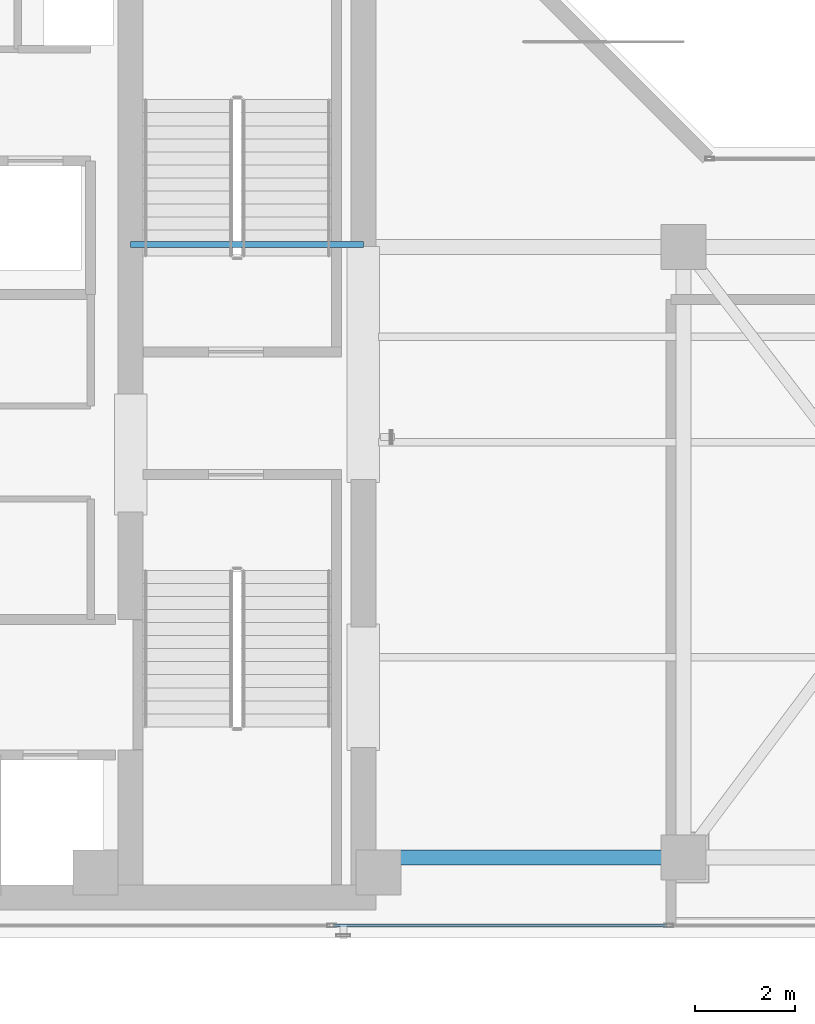
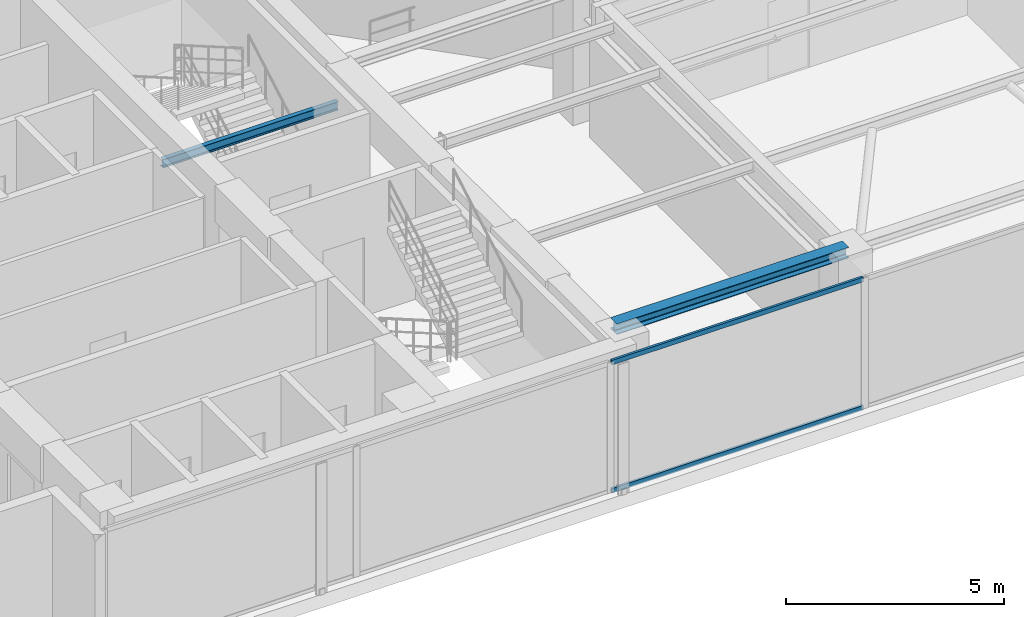
# One storey, part 5 of 31: 2 beams, 2 members, 1 element without a shape of its own.
"""IFC4 building model written with IfcOpenShell, lengths in metres."""

import ifcopenshell
import ifcopenshell.guid

model = None  # the IFC model being written
_history = None  # IfcOwnerHistory: only IFC2X3 demands one
_inside = {}  # id of a spatial element -> (the spatial element, [elements in it])
_under = {}  # id of a project, library or spatial element -> (it, [spatial elements below it])
_declared = {}  # id of a project -> (the project, [libraries it declares])
_typed = {}  # id of a type object -> (the type object, [elements of that type])
_made_of = {}  # id of a material, layer set ... -> (it, [elements and type objects made of it])


def new_model(schema):
    """Start an empty IFC model of exactly this schema.

    Asked for "IFC4X3", IfcOpenShell would pick the latest addendum, in which some entities
    have other attributes; the version numbers below select the first issue.
    IFC2X3 requires an IfcOwnerHistory on every rooted entity: one is made here for all.
    """
    global model, _history
    if schema == "IFC4X3":
        model = ifcopenshell.file(schema_version=(4, 3, 0, 0))
    else:
        model = ifcopenshell.file(schema=schema)
    _inside.clear()
    _under.clear()
    _declared.clear()
    _typed.clear()
    _made_of.clear()
    _history = None
    if model.schema == "IFC2X3":
        org = make("IfcOrganization", Name="unknown")
        user = make(
            "IfcPersonAndOrganization",
            ThePerson=make("IfcPerson", FamilyName="unknown"),
            TheOrganization=org,
        )
        app = make(
            "IfcApplication",
            ApplicationDeveloper=org,
            Version="unknown",
            ApplicationFullName="unknown",
            ApplicationIdentifier="unknown",
        )
        _history = make(
            "IfcOwnerHistory",
            OwningUser=user,
            OwningApplication=app,
            ChangeAction="ADDED",
            CreationDate=0,
        )
    return model


def make(cls, **values):
    """One entity of the class cls with the attributes given. An attribute that is None is left unset."""
    return model.create_entity(
        cls, **{name: value for name, value in values.items() if value is not None}
    )


def rooted(cls, **values):
    """An entity with a GlobalId (a new one), such as an element, a storey or a relation."""
    return make(cls, GlobalId=ifcopenshell.guid.new(), OwnerHistory=_history, **values)


def si_unit(unit_type, name, prefix=None):
    """IfcSIUnit, for example si_unit("LENGTHUNIT", "METRE", prefix="MILLI")."""
    return make("IfcSIUnit", UnitType=unit_type, Prefix=prefix, Name=name)


def assignment(units):
    """IfcUnitAssignment: the units of a project."""
    return None if units is None else make("IfcUnitAssignment", Units=units)


def point(xyz):
    """IfcCartesianPoint."""
    return None if xyz is None else make("IfcCartesianPoint", Coordinates=xyz)


def direction(xyz):
    """IfcDirection."""
    return None if xyz is None else make("IfcDirection", DirectionRatios=xyz)


def frame(location, z_axis=None, x_axis=None):
    """IfcAxis2Placement3D, a coordinate frame: its origin and axes. An axis left out is left unset."""
    return make(
        "IfcAxis2Placement3D",
        Location=point(location),
        Axis=direction(z_axis),
        RefDirection=direction(x_axis),
    )


def frame_2d(location, x_axis=None):
    """IfcAxis2Placement2D, a coordinate frame in the plane: its origin and x axis."""
    return make(
        "IfcAxis2Placement2D", Location=point(location), RefDirection=direction(x_axis)
    )


def origin():
    """The frame at (0, 0, 0) with its axes left unset."""
    return frame((0.0, 0.0, 0.0))


def origin_with_axes():
    """The frame at (0, 0, 0) with the z axis (0, 0, 1) and the x axis (1, 0, 0) written out."""
    return frame((0.0, 0.0, 0.0), z_axis=(0.0, 0.0, 1.0), x_axis=(1.0, 0.0, 0.0))


def origin_2d():
    """The frame at (0, 0) in the plane with its x axis left unset."""
    return frame_2d((0.0, 0.0))


def place(relative_to, where):
    """IfcLocalPlacement: puts the frame where relative to a parent placement (None: the world)."""
    return make(
        "IfcLocalPlacement", PlacementRelTo=relative_to, RelativePlacement=where
    )


def context(
    kind, dimensions, precision=None, world=None, true_north=None, identifier=None
):
    """IfcGeometricRepresentationContext, for example the 3D "Model" context."""
    return make(
        "IfcGeometricRepresentationContext",
        ContextIdentifier=identifier,
        ContextType=kind,
        CoordinateSpaceDimension=dimensions,
        Precision=precision,
        WorldCoordinateSystem=world,
        TrueNorth=true_north,
    )


def subcontext(parent, identifier, kind, view, scale=None):
    """IfcGeometricRepresentationSubContext, for example "Body" below "Model"."""
    return make(
        "IfcGeometricRepresentationSubContext",
        ContextIdentifier=identifier,
        ContextType=kind,
        ParentContext=parent,
        TargetScale=scale,
        TargetView=view,
    )


def project(units=None, contexts=None):
    """IfcProject with its units and contexts."""
    return rooted(
        "IfcProject",
        Name="project",
        RepresentationContexts=contexts,
        UnitsInContext=assignment(units),
    )


def spatial(cls, under=None, at=None, **own):
    """A site, building, storey or space (cls), placed at a placement, below another one or the project."""
    s = rooted(cls, ObjectPlacement=at, **own)
    if under is not None:
        _under.setdefault(under.id(), (under, []))[1].append(s)
    return s


def profile(cls, at=None, kind="AREA", **sizes):
    """A parametric profile (cls). Its sizes go by their IFC names, for example OverallWidth=200.0."""
    return make(cls, ProfileType=kind, Position=at, **sizes)


def hollow_rectangle(**sizes):
    """IfcRectangleHollowProfileDef."""
    return profile("IfcRectangleHollowProfileDef", **sizes)


def i_section(**sizes):
    """IfcIShapeProfileDef."""
    return profile("IfcIShapeProfileDef", **sizes)


def extrude(swept, where, along, depth):
    """IfcExtrudedAreaSolid: the profile swept, set in the frame where, extruded along a direction by depth."""
    return make(
        "IfcExtrudedAreaSolid",
        SweptArea=swept,
        Position=where,
        ExtrudedDirection=direction(along),
        Depth=depth,
    )


def shape(context_of_items, identifier, shape_type, items):
    """IfcShapeRepresentation: the items that make up one representation, for example the "Body"."""
    return make(
        "IfcShapeRepresentation",
        ContextOfItems=context_of_items,
        RepresentationIdentifier=identifier,
        RepresentationType=shape_type,
        Items=items,
    )


def source(mapping_origin, context_of_items, identifier, shape_type, items):
    """IfcRepresentationMap: a shape defined once, which mapped items show again and again."""
    return make(
        "IfcRepresentationMap",
        MappingOrigin=mapping_origin,
        MappedRepresentation=shape(context_of_items, identifier, shape_type, items),
    )


def transform(
    local_origin,
    x_axis=None,
    y_axis=None,
    z_axis=None,
    scale=None,
    scale2=None,
    scale3=None,
    uniform=True,
):
    """IfcCartesianTransformationOperator3D, or its non-uniform kind. x_axis, y_axis, z_axis: its Axis1, 2, 3."""
    if uniform:
        return make(
            "IfcCartesianTransformationOperator3D",
            Axis1=direction(x_axis),
            Axis2=direction(y_axis),
            LocalOrigin=point(local_origin),
            Scale=scale,
            Axis3=direction(z_axis),
        )
    return make(
        "IfcCartesianTransformationOperator3DnonUniform",
        Axis1=direction(x_axis),
        Axis2=direction(y_axis),
        LocalOrigin=point(local_origin),
        Scale=scale,
        Axis3=direction(z_axis),
        Scale2=scale2,
        Scale3=scale3,
    )


def mapped(mapping_source, mapping_target):
    """IfcMappedItem: shows the shape of a source again, moved by a transform."""
    return make(
        "IfcMappedItem", MappingSource=mapping_source, MappingTarget=mapping_target
    )


def material(Name=None, Category=None):
    """IfcMaterial."""
    return make("IfcMaterial", Name=Name, Category=Category)


def layer(
    of_material, thickness, ventilated=None, Name=None, Category=None, Priority=None
):
    """IfcMaterialLayer: one layer of a wall or slab, of a material (None: an air gap)."""
    return make(
        "IfcMaterialLayer",
        Material=of_material,
        LayerThickness=thickness,
        IsVentilated=ventilated,
        Name=Name,
        Category=Category,
        Priority=Priority,
    )


def layer_set(layers, Name=None):
    """IfcMaterialLayerSet."""
    return make("IfcMaterialLayerSet", MaterialLayers=layers, LayerSetName=Name)


def material_profile(
    of_material, cross_section, Name=None, Category=None, Priority=None
):
    """IfcMaterialProfile: a cross section and its material."""
    return make(
        "IfcMaterialProfile",
        Name=Name,
        Material=of_material,
        Profile=cross_section,
        Priority=Priority,
        Category=Category,
    )


def profile_set(profiles, Name=None, composite=None):
    """IfcMaterialProfileSet."""
    return make(
        "IfcMaterialProfileSet",
        Name=Name,
        MaterialProfiles=profiles,
        CompositeProfile=composite,
    )


def made_of(thing, what):
    """Note that an element or type object is made of a material, layer set ...; save() writes the relation."""
    if what is not None:
        _made_of.setdefault(what.id(), (what, []))[1].append(thing)
    return thing


def type_object(cls, material=None, **own):
    """A type object (cls), such as IfcWallType, which elements share."""
    return made_of(rooted(cls, **own), material)


def element(
    cls,
    number,
    at=None,
    inside=None,
    cuts=None,
    type_object=None,
    material=None,
    context=None,
    identifier="Body",
    shape_type=None,
    held_by="IfcProductDefinitionShape",
    body=None,
    shapes=None,
    **own,
):
    """One element of the class cls, such as IfcWall. Its Tag is "e" and its number.

    at: its placement. inside: the storey or other place that contains it. cuts: it is an
    opening in that element (IfcRelVoidsElement). A single representation is given by context,
    identifier, shape_type and body (its items); several are given by shapes. held_by: the class
    of the entity that holds the representations. save() writes the other relations.
    """
    e = rooted(cls, Tag="e%d" % number, ObjectPlacement=at, **own)
    if body is not None:
        shapes = [shape(context, identifier, shape_type, body)]
    if shapes is not None:
        e.Representation = make(held_by, Representations=shapes)
    if inside is not None:
        _inside.setdefault(inside.id(), (inside, []))[1].append(e)
    if cuts is not None:
        rooted(
            "IfcRelVoidsElement", RelatingBuildingElement=cuts, RelatedOpeningElement=e
        )
    if type_object is not None:
        _typed.setdefault(type_object.id(), (type_object, []))[1].append(e)
    return made_of(e, material)


def aggregate(whole, parts):
    """IfcRelAggregates: a whole, such as a stair, and the parts it consists of."""
    return rooted("IfcRelAggregates", RelatingObject=whole, RelatedObjects=parts)


def save(model, path):
    """Write the relations noted so far, then the file.

    IfcRelAggregates (storeys below a building ...), IfcRelContainedInSpatialStructure (elements
    in a storey), IfcRelDefinesByType, IfcRelAssociatesMaterial and IfcRelDeclares: one each for
    every whole, place, type object, material and project.
    """
    for whole, parts in _under.values():
        aggregate(whole, parts)
    for where, things in _inside.values():
        rooted(
            "IfcRelContainedInSpatialStructure",
            RelatedElements=things,
            RelatingStructure=where,
        )
    for kind, things in _typed.values():
        rooted("IfcRelDefinesByType", RelatedObjects=things, RelatingType=kind)
    for what, things in _made_of.values():
        rooted("IfcRelAssociatesMaterial", RelatedObjects=things, RelatingMaterial=what)
    for by, libraries in _declared.values():
        rooted("IfcRelDeclares", RelatingContext=by, RelatedDefinitions=libraries)
    model.write(path)


model = new_model("IFC4")

# Units and contexts
model_context = context("Model", 3, precision=1e-05, world=origin(), true_north=direction((0.0, 1.0)))
body_context = subcontext(model_context, "Body", "Model", "MODEL_VIEW")
ifc_project = project(units=[si_unit("LENGTHUNIT", "METRE"), si_unit("AREAUNIT", "SQUARE_METRE"), si_unit("VOLUMEUNIT", "CUBIC_METRE"), si_unit("PLANEANGLEUNIT", "RADIAN"), si_unit("MASSUNIT", "GRAM", prefix="KILO")], contexts=[model_context])

# Site, building, storey
site_placement = place(None, origin())
site = spatial("IfcSite", under=ifc_project, at=site_placement, CompositionType="ELEMENT")
building_placement = place(site_placement, origin())
building = spatial("IfcBuilding", under=site, at=building_placement, Name="Kolvaren Waterfront Exchange", CompositionType="ELEMENT")
storey_placement = place(building_placement, frame((0.0, 0.0, 344.199951171875)))
storey = spatial("IfcBuildingStorey", under=building, at=storey_placement, Name="L88", CompositionType="ELEMENT", Elevation=344.199951171875)

# Beams
ifc_material_1 = material(Name="Steel S355", Category="steel")
ifc_material_profile_1 = material_profile(ifc_material_1, i_section(OverallWidth=0.300048828125, OverallDepth=0.300048828125, WebThickness=0.010986328125, FlangeThickness=0.01904296875, FilletRadius=0.027099609375, at=origin_2d()), Name="HEB300")
ifc_profile_set_1 = profile_set([ifc_material_profile_1], Name="Steel S355")
beam_type_1 = type_object("IfcBeamType", Name="STR-BM-HEB300", PredefinedType="SPANDREL", material=ifc_profile_set_1)
beam_1_placement = place(storey_placement, frame((21.050048828125, 5.199951171875, 3.510009765625), z_axis=(1.0, 0.0, 0.0), x_axis=(0.0, 1.0, 0.0)))
element("IfcBeam", 1, at=beam_1_placement, inside=storey, type_object=beam_type_1, Name="L88 east-arm spandrel S1", PredefinedType="SPANDREL", context=body_context, shape_type="SweptSolid", body=[
    extrude(i_section(OverallWidth=0.300048828125, OverallDepth=0.300048828125, WebThickness=0.010986328125, FlangeThickness=0.01904296875, FilletRadius=0.027099609375, at=origin_2d()), origin(), (0.0, 0.0, 1.0), 6.14990234375),
])
ifc_material_profile_2 = material_profile(ifc_material_1, i_section(OverallWidth=0.1201171875, OverallDepth=0.239990234375, WebThickness=0.006103515625, FlangeThickness=0.009765625, FilletRadius=0.014892578125, at=origin_2d()), Name="IPE240")
ifc_profile_set_2 = profile_set([ifc_material_profile_2], Name="Steel S355")
beam_type_2 = type_object("IfcBeamType", Name="STR-BM-IPE240", PredefinedType="LINTEL", material=ifc_profile_set_2)
beam_2_placement = place(storey_placement, frame((16.14990234375, 17.449951171875, 2.380126953125), z_axis=(1.0, 0.0, 0.0), x_axis=(0.0, 1.0, 0.0)))
element("IfcBeam", 2, at=beam_2_placement, inside=storey, type_object=beam_type_2, Name="L88 core stair header lintel", PredefinedType="LINTEL", context=body_context, shape_type="SweptSolid", body=[
    extrude(i_section(OverallWidth=0.1201171875, OverallDepth=0.239990234375, WebThickness=0.006103515625, FlangeThickness=0.009765625, FilletRadius=0.014892578125, at=origin_2d()), origin(), (0.0, 0.0, 1.0), 4.650146484375),
])

# Curtain wall, members
ifc_material_2 = material(Name="Anodised bronze aluminium 6063-T6", Category="aluminium")
ifc_layer = layer(ifc_material_2, 0.219970703125, Name="Anodised bronze aluminium 6063-T6")
ifc_layer_set = layer_set([ifc_layer], Name="Anodised bronze aluminium 6063-T6")
curtain_wall_type = type_object("IfcCurtainWallType", Name="ARC-CW-SYS5", PredefinedType="USERDEFINED", material=ifc_layer_set)
curtain_wall_placement = place(storey_placement, origin())
curtain_wall = element("IfcCurtainWall", 3, at=curtain_wall_placement, inside=storey, type_object=curtain_wall_type, Name="L88 stick curtain wall CW5 (CW-L88-S)", ObjectType="STICK CURTAIN WALL", PredefinedType="USERDEFINED")
ifc_material_profile_3 = material_profile(ifc_material_2, hollow_rectangle(XDim=0.06494140625, YDim=0.1298828125, WallThickness=0.00390625, at=origin_2d()), Name="ALU-TRN-130x65x4")
ifc_profile_set_3 = profile_set([ifc_material_profile_3], Name="Anodised bronze aluminium 6063-T6")
member_type = type_object("IfcMemberType", Name="ARC-CWT-130", PredefinedType="USERDEFINED", material=ifc_profile_set_3)
shared_shape = source(origin_with_axes(), body_context, "Body", "SweptSolid", [
    extrude(hollow_rectangle(XDim=0.06494140625, YDim=0.1298828125, WallThickness=0.00390625, at=origin_2d()), origin(), (0.0, 0.0, 1.0), 6.658447265625),
])
member_1_placement = place(storey_placement, frame((20.2041015625, 3.840087890625, 0.032470703125), z_axis=(1.0, 0.0, 0.0), x_axis=(0.0, 1.0, 0.0)))
member_1 = element("IfcMember", 4, at=member_1_placement, type_object=member_type, Name="CW5 transom 3.1", ObjectType="TRANSOM", PredefinedType="USERDEFINED", context=body_context, shape_type="MappedRepresentation", body=[
    mapped(shared_shape, transform((0.0, 0.0, 0.0), x_axis=(1.0, 0.0, 0.0), y_axis=(0.0, 1.0, 0.0), z_axis=(0.0, 0.0, 1.0), scale=1.0)),
])
member_2_placement = place(storey_placement, frame((20.2041015625, 3.840087890625, 3.62744140625), z_axis=(1.0, 0.0, 0.0), x_axis=(0.0, 1.0, 0.0)))
member_2 = element("IfcMember", 5, at=member_2_placement, type_object=member_type, Name="CW5 transom 3.2", ObjectType="TRANSOM", PredefinedType="USERDEFINED", context=body_context, shape_type="MappedRepresentation", body=[
    mapped(shared_shape, transform((0.0, 0.0, 0.0), x_axis=(1.0, 0.0, 0.0), y_axis=(0.0, 1.0, 0.0), z_axis=(0.0, 0.0, 1.0), scale=1.0)),
])
aggregate(curtain_wall, [member_1, member_2])

save(model, "model.ifc")
